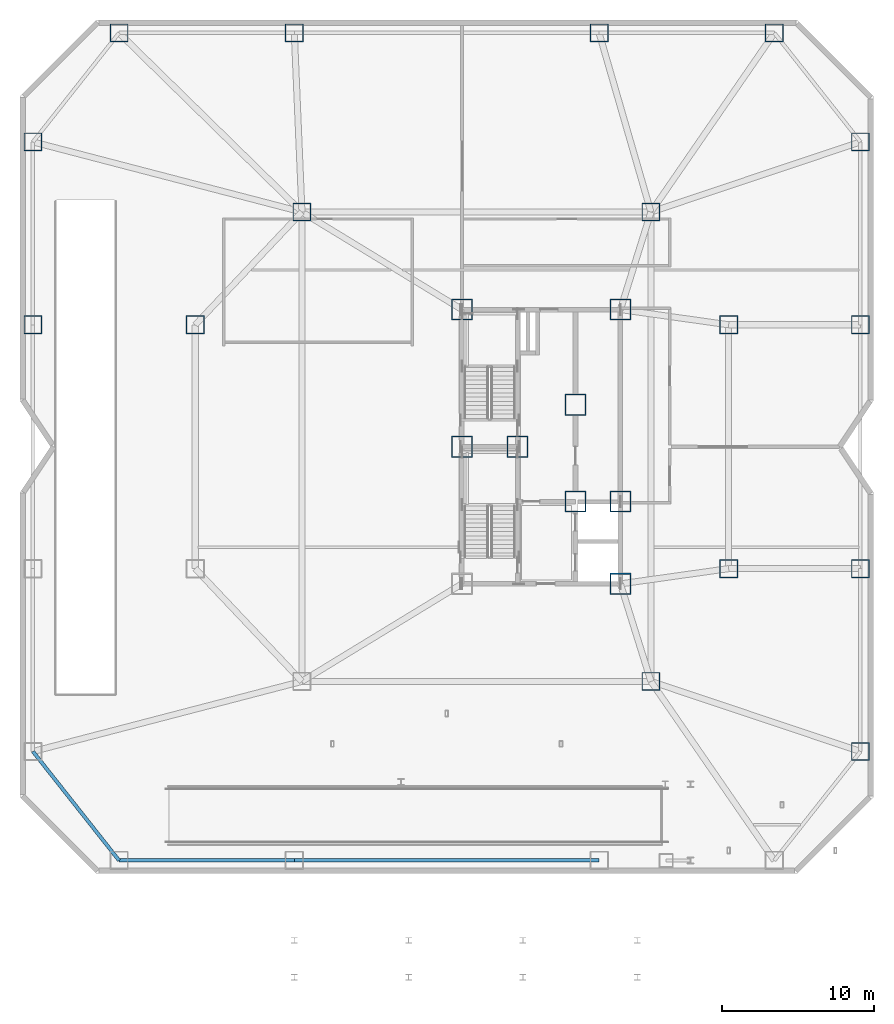
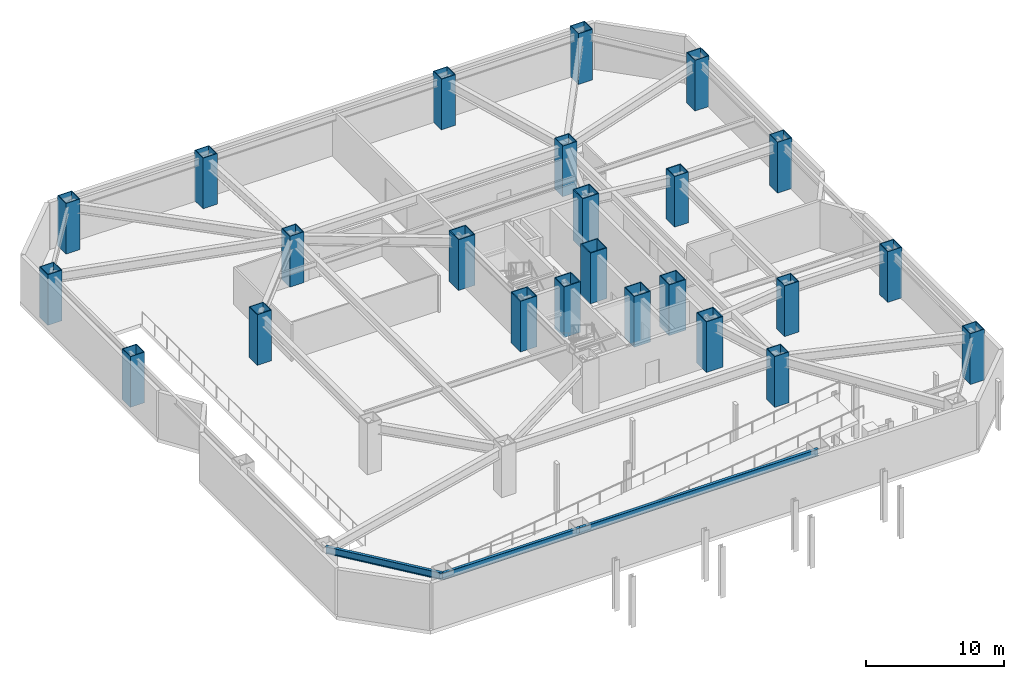
# One storey, part 2 of 14: 24 columns, 3 beams.
"""IFC4 building model written with IfcOpenShell, lengths in metres."""

from ifc_helpers import new_model, si_unit, direction, frame, origin, origin_2d, place, context, subcontext, project, spatial, hollow_rectangle, i_section, extrude, material, material_profile, profile_set, type_object, element, save


model = new_model("IFC4")

# Units and contexts
model_context = context("Model", 3, precision=1e-05, world=origin(), true_north=direction((0.0, 1.0)))
body_context = subcontext(model_context, "Body", "Model", "MODEL_VIEW")
ifc_project = project(units=[si_unit("LENGTHUNIT", "METRE"), si_unit("AREAUNIT", "SQUARE_METRE"), si_unit("VOLUMEUNIT", "CUBIC_METRE"), si_unit("PLANEANGLEUNIT", "RADIAN"), si_unit("MASSUNIT", "GRAM", prefix="KILO")], contexts=[model_context])

# Site, building, storey
site_placement = place(None, origin())
site = spatial("IfcSite", under=ifc_project, at=site_placement, CompositionType="ELEMENT")
building_placement = place(site_placement, origin())
building = spatial("IfcBuilding", under=site, at=building_placement, Name="Khamvora Tower", CompositionType="ELEMENT")
storey_placement = place(building_placement, frame((0.0, 0.0, -4.5)))
storey = spatial("IfcBuildingStorey", under=building, at=storey_placement, Name="B1", CompositionType="ELEMENT", Elevation=-4.5)

# Columns
ifc_material_1 = material(Name="Steel S460", Category="steel")
ifc_material_profile_1 = material_profile(ifc_material_1, hollow_rectangle(XDim=1.199951171875, YDim=1.199951171875, WallThickness=0.06005859375, at=origin_2d()), Name="BOX1200x1200x60")
ifc_profile_set_1 = profile_set([ifc_material_profile_1], Name="Steel S460")
column_type_1 = type_object("IfcColumnType", Name="COL-BOX1200", PredefinedType="COLUMN", material=ifc_profile_set_1)
for number, where, z_axis, x_axis, name in (
    (1, (6.5, 55.14990234375, 0.0), (0.0, 0.0, 1.0), (1.0, 0.0, 0.0), "B1 structural frame column P05"),
    (2, (18.0, 55.14990234375, 0.0), (0.0, 0.0, 1.0), (1.0, 0.0, 0.0), "B1 structural frame column P06"),
    (3, (38.0, 55.14990234375, 0.0), (0.0, 0.0, 1.0), (1.0, 0.0, 0.0), "B1 structural frame column P07"),
    (4, (49.5, 55.14990234375, 0.0), (0.0, 0.0, 1.0), (1.0, 0.0, 0.0), "B1 structural frame column P08"),
    (5, (0.85009765625, 36.0, 0.0), (0.0, 0.0, 1.0), (1.0, 0.0, 0.0), "B1 structural frame column P11"),
    (6, (0.85009765625, 48.0, 0.0), (0.0, 0.0, 1.0), (1.0, 0.0, 0.0), "B1 structural frame column P12"),
    (7, (55.14990234375, 8.0, 0.0), (0.0, 0.0, 1.0), (1.0, 0.0, 0.0), "B1 structural frame column P13"),
    (8, (55.14990234375, 20.0, 0.0), (0.0, 0.0, 1.0), (1.0, 0.0, 0.0), "B1 structural frame column P14"),
    (9, (55.14990234375, 36.0, 0.0), (0.0, 0.0, 1.0), (1.0, 0.0, 0.0), "B1 structural frame column P15"),
    (10, (55.14990234375, 48.0, 0.0), (0.0, 0.0, 1.0), (1.0, 0.0, 0.0), "B1 structural frame column P16"),
    (11, (41.39990234375, 12.60009765625, 0.0), (0.0, 0.0, 1.0), (1.0, 0.0, 0.0), "B1 structural frame column P18"),
    (12, (18.5, 43.39990234375, 0.0), (0.0, 0.0, 1.0), (1.0, 0.0, 0.0), "B1 structural frame column P19"),
    (13, (41.39990234375, 43.39990234375, 0.0), (0.0, 0.0, 1.0), (1.0, 0.0, 0.0), "B1 structural frame column P20"),
    (14, (11.5, 36.0, 0.0), (0.0, 0.0, 1.0), (1.0, 0.0, 0.0), "B1 structural frame column P22"),
    (15, (46.5, 20.0, 0.0), (0.0, 0.0, 1.0), (1.0, 0.0, 0.0), "B1 structural frame column P23"),
    (16, (46.5, 36.0, 0.0), (0.0, 0.0, 1.0), (1.0, 0.0, 0.0), "B1 structural frame column P24"),
):
    element("IfcColumn", number, at=place(storey_placement, frame(where, z_axis=z_axis, x_axis=x_axis)), inside=storey, type_object=column_type_1, Name=name, PredefinedType="COLUMN", context=body_context, shape_type="SweptSolid", body=[
        extrude(hollow_rectangle(XDim=1.199951171875, YDim=1.199951171875, WallThickness=0.06005859375, at=origin_2d()), origin(), (0.0, 0.0, 1.0), 4.5),
    ])
ifc_material_profile_2 = material_profile(ifc_material_1, hollow_rectangle(XDim=1.39990234375, YDim=1.39990234375, WallThickness=0.070068359375, at=origin_2d()), Name="BOX1400x1400x70")
ifc_profile_set_2 = profile_set([ifc_material_profile_2], Name="Steel S460")
column_type_2 = type_object("IfcColumnType", Name="COL-BOX1400", PredefinedType="COLUMN", material=ifc_profile_set_2)
for number, where, z_axis, x_axis, name in (
    (17, (32.64990234375, 28.0, 0.0), (0.0, 0.0, 1.0), (1.0, 0.0, 0.0), "B1 plumb core spine column SC2"),
    (18, (39.39990234375, 19.0, 0.0), (0.0, 0.0, 1.0), (1.0, 0.0, 0.0), "B1 plumb core spine column SC3"),
    (19, (29.0, 28.0, 0.0), (0.0, 0.0, 1.0), (1.0, 0.0, 0.0), "B1 plumb core spine column SC4"),
    (20, (36.449951171875, 24.39990234375, 0.0), (0.0, 0.0, 1.0), (1.0, 0.0, 0.0), "B1 plumb core spine column SC5"),
    (21, (39.39990234375, 24.39990234375, 0.0), (0.0, 0.0, 1.0), (1.0, 0.0, 0.0), "B1 plumb core spine column SC6"),
    (22, (29.0, 37.0, 0.0), (0.0, 0.0, 1.0), (1.0, 0.0, 0.0), "B1 plumb core spine column SC7"),
    (23, (36.449951171875, 30.75, 0.0), (0.0, 0.0, 1.0), (1.0, 0.0, 0.0), "B1 plumb core spine column SC8"),
    (24, (39.39990234375, 37.0, 0.0), (0.0, 0.0, 1.0), (1.0, 0.0, 0.0), "B1 plumb core spine column SC9"),
):
    element("IfcColumn", number, at=place(storey_placement, frame(where, z_axis=z_axis, x_axis=x_axis)), inside=storey, type_object=column_type_2, Name=name, PredefinedType="COLUMN", context=body_context, shape_type="SweptSolid", body=[
        extrude(hollow_rectangle(XDim=1.39990234375, YDim=1.39990234375, WallThickness=0.070068359375, at=origin_2d()), origin(), (0.0, 0.0, 1.0), 4.5),
    ])

# Beams
ifc_material_2 = material(Name="Steel S355", Category="steel")
ifc_material_profile_3 = material_profile(ifc_material_2, i_section(OverallWidth=0.22998046875, OverallDepth=0.616943359375, WebThickness=0.012939453125, FlangeThickness=0.02197265625, FilletRadius=0.013916015625, at=origin_2d()), Name="W610x140")
ifc_profile_set_3 = profile_set([ifc_material_profile_3], Name="Steel S355")
beam_type = type_object("IfcBeamType", Name="BM-SP-W610x140", PredefinedType="SPANDREL", material=ifc_profile_set_3)
beam_1_placement = place(storey_placement, frame((0.85009765625, 8.0, 3.83203125), z_axis=(0.619998635429, -0.784602888133, 0.0), x_axis=(0.784602888133, 0.619998635429, 0.0)))
element("IfcBeam", 25, at=beam_1_placement, inside=storey, type_object=beam_type, Name="B1 perimeter spandrel beam P09-P01", PredefinedType="SPANDREL", context=body_context, shape_type="SweptSolid", body=[
    extrude(i_section(OverallWidth=0.22998046875, OverallDepth=0.616943359375, WebThickness=0.012939453125, FlangeThickness=0.02197265625, FilletRadius=0.013916015625, at=origin_2d()), origin(), (0.0, 0.0, 1.0), 9.11279296875),
])
beam_2_placement = place(storey_placement, frame((6.5, 0.85009765625, 3.83203125), z_axis=(1.0, 0.0, 0.0), x_axis=(0.0, 1.0, 0.0)))
element("IfcBeam", 26, at=beam_2_placement, inside=storey, type_object=beam_type, Name="B1 perimeter spandrel beam P01-P02", PredefinedType="SPANDREL", context=body_context, shape_type="SweptSolid", body=[
    extrude(i_section(OverallWidth=0.22998046875, OverallDepth=0.616943359375, WebThickness=0.012939453125, FlangeThickness=0.02197265625, FilletRadius=0.013916015625, at=origin_2d()), origin(), (0.0, 0.0, 1.0), 11.5),
])
beam_3_placement = place(storey_placement, frame((18.0, 0.85009765625, 3.83203125), z_axis=(1.0, 0.0, 0.0), x_axis=(0.0, 1.0, 0.0)))
element("IfcBeam", 27, at=beam_3_placement, inside=storey, type_object=beam_type, Name="B1 perimeter spandrel beam P02-P03", PredefinedType="SPANDREL", context=body_context, shape_type="SweptSolid", body=[
    extrude(i_section(OverallWidth=0.22998046875, OverallDepth=0.616943359375, WebThickness=0.012939453125, FlangeThickness=0.02197265625, FilletRadius=0.013916015625, at=origin_2d()), origin(), (0.0, 0.0, 1.0), 20.0),
])

save(model, "model.ifc")
